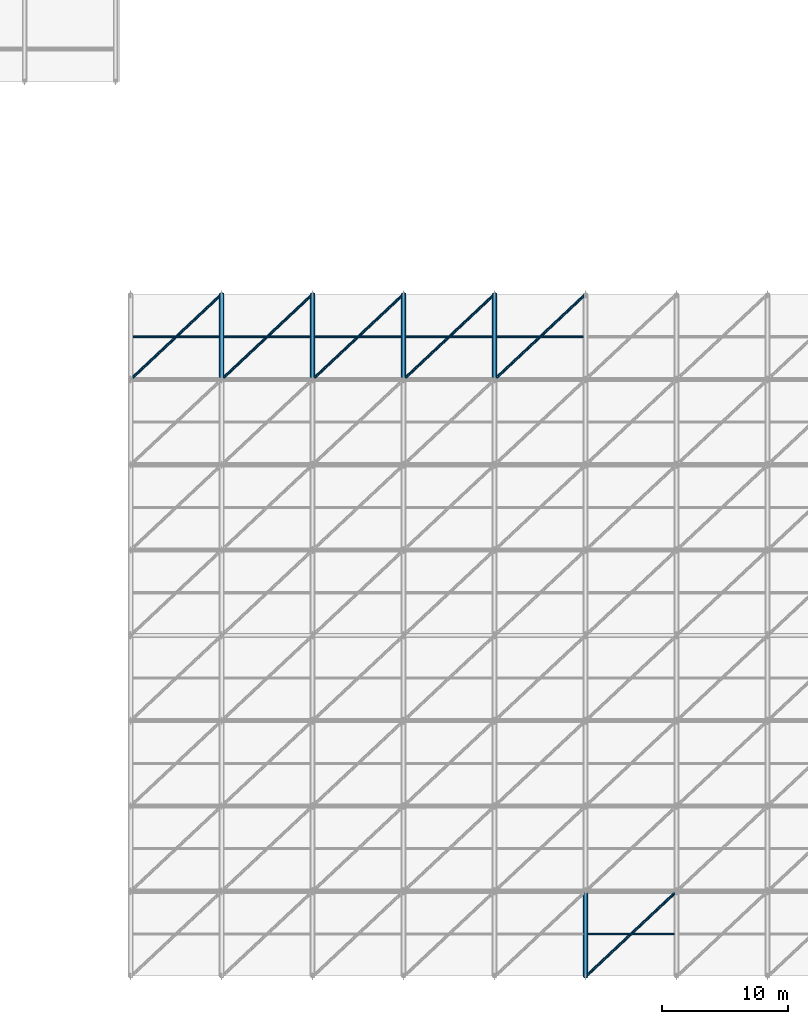
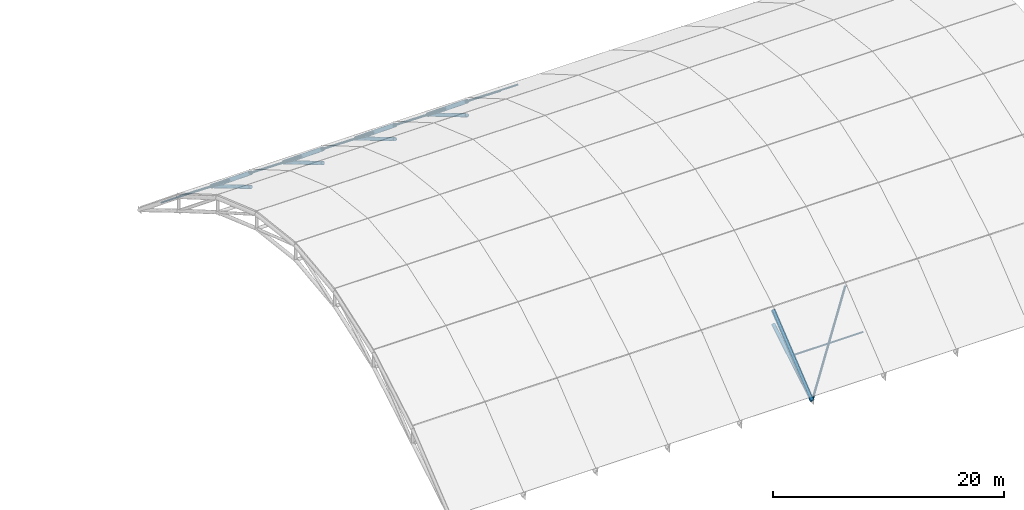
# One storey, part 7 of 72: 22 members, 5 beams.
"""IFC4 building model written with IfcOpenShell, lengths in metres."""

from ifc_helpers import new_model, si_unit, direction, frame, origin, origin_2d, place, context, subcontext, project, spatial, hollow_circle, extrude, material, material_profile, profile_set, type_object, element, save


model = new_model("IFC4")

# Units and contexts
model_context = context("Model", 3, precision=1e-05, world=origin(), true_north=direction((0.0, 1.0)))
body_context = subcontext(model_context, "Body", "Model", "MODEL_VIEW")
ifc_project = project(units=[si_unit("LENGTHUNIT", "METRE"), si_unit("AREAUNIT", "SQUARE_METRE"), si_unit("VOLUMEUNIT", "CUBIC_METRE"), si_unit("PLANEANGLEUNIT", "RADIAN"), si_unit("MASSUNIT", "GRAM", prefix="KILO")], contexts=[model_context])

# Site, building, storey
site_placement = place(None, origin())
site = spatial("IfcSite", under=ifc_project, at=site_placement, CompositionType="ELEMENT")
building_placement = place(site_placement, origin())
building = spatial("IfcBuilding", under=site, at=building_placement, Name="Vaelcorin Mobility Hub", CompositionType="ELEMENT")
storey_placement = place(building_placement, frame((0.0, 0.0, 25.800048828125)))
storey = spatial("IfcBuildingStorey", under=building, at=storey_placement, Name="RF", CompositionType="ELEMENT", Elevation=25.800048828125)

# Members
ifc_material = material(Name="Steel ASTM A500 Grade C", Category="steel")
ifc_material_profile_1 = material_profile(ifc_material, hollow_circle(Radius=0.177734375, WallThickness=0.0126953125, at=origin_2d()), Name="HSS14.000X0.500")
ifc_profile_set_1 = profile_set([ifc_material_profile_1], Name="Steel ASTM A500 Grade C")
member_type_1 = type_object("IfcMemberType", Name="SF-CHORD-14", PredefinedType="CHORD", material=ifc_profile_set_1)
for number, where, z_axis, x_axis, name in (
    (1, (43.199951171875, 53.25, -15.7880859375), (0.0, 0.859622623593, -0.510929491229), (-1.0, 0.0, 0.0), "Space Frame Roof Truss Lower Chord 2-8"),
    (2, (50.39990234375, 53.25, -15.7880859375), (0.0, 0.859622623593, -0.510929491229), (-1.0, 0.0, 0.0), "Space Frame Roof Truss Lower Chord 3-8"),
    (3, (57.60009765625, 53.25, -15.7880859375), (0.0, 0.859622623593, -0.510929491229), (-1.0, 0.0, 0.0), "Space Frame Roof Truss Lower Chord 4-8"),
    (4, (64.800048828125, 53.25, -15.7880859375), (0.0, 0.859622623593, -0.510929491229), (-1.0, 0.0, 0.0), "Space Frame Roof Truss Lower Chord 5-8"),
    (5, (72.0, 6.0, -19.800048828125), (0.0, 0.859622623593, 0.510929491229), (-1.0, 0.0, 0.0), "Space Frame Roof Truss Lower Chord 6-1"),
):
    element("IfcMember", number, at=place(storey_placement, frame(where, z_axis=z_axis, x_axis=x_axis)), inside=storey, type_object=member_type_1, Name=name, PredefinedType="CHORD", context=body_context, shape_type="SweptSolid", body=[
        extrude(hollow_circle(Radius=0.177734375, WallThickness=0.0126953125, at=origin_2d()), origin(), (0.0, 0.0, 1.0), 7.852294921875),
    ])
ifc_material_profile_2 = material_profile(ifc_material, hollow_circle(Radius=0.136474609375, WallThickness=0.0126953125, at=origin_2d()), Name="HSS10.750X0.500")
ifc_profile_set_2 = profile_set([ifc_material_profile_2], Name="Steel ASTM A500 Grade C")
member_type_2 = type_object("IfcMemberType", Name="SF-DIAG-10", PredefinedType="BRACE", material=ifc_profile_set_2)
for number, where, z_axis, x_axis, name in (
    (6, (43.199951171875, 53.25, -14.2880859375), (0.0, 0.774562321982, -0.632497596332), (-1.0, 0.0, 0.0), "Space Frame Roof Truss Web Diagonal 2-8"),
    (7, (50.39990234375, 53.25, -14.2880859375), (0.0, 0.774562321982, -0.632497596332), (-1.0, 0.0, 0.0), "Space Frame Roof Truss Web Diagonal 3-8"),
    (8, (57.60009765625, 53.25, -14.2880859375), (0.0, 0.774562321982, -0.632497596332), (-1.0, 0.0, 0.0), "Space Frame Roof Truss Web Diagonal 4-8"),
    (9, (64.800048828125, 53.25, -14.2880859375), (0.0, 0.774562321982, -0.632497596332), (-1.0, 0.0, 0.0), "Space Frame Roof Truss Web Diagonal 5-8"),
    (10, (72.0, 6.0, -19.800048828125), (0.0, 0.774562321982, 0.632497596332), (-1.0, 0.0, 0.0), "Space Frame Roof Truss Web Diagonal 6-1"),
):
    element("IfcMember", number, at=place(storey_placement, frame(where, z_axis=z_axis, x_axis=x_axis)), inside=storey, type_object=member_type_2, Name=name, PredefinedType="BRACE", context=body_context, shape_type="SweptSolid", body=[
        extrude(hollow_circle(Radius=0.136474609375, WallThickness=0.0126953125, at=origin_2d()), origin(), (0.0, 0.0, 1.0), 8.714599609375),
    ])
ifc_material_profile_3 = material_profile(ifc_material, hollow_circle(Radius=0.109619140625, WallThickness=0.009521484375, at=origin_2d()), Name="HSS8.625X0.375")
ifc_profile_set_3 = profile_set([ifc_material_profile_3], Name="Steel ASTM A500 Grade C")
member_type_3 = type_object("IfcMemberType", Name="SF-DIAG-8", PredefinedType="BRACE", material=ifc_profile_set_3)
for number, where, z_axis, x_axis, name in (
    (11, (36.0, 53.25, -14.2880859375), (0.636930590236, 0.59712647787, -0.487605775856), (-0.683943597489, 0.729534889813, 0.0), "Space Frame Bracing Diagonal 1-8"),
    (12, (43.199951171875, 53.25, -14.2880859375), (0.636930590236, 0.59712647787, -0.487605775856), (-0.683943597489, 0.729534889813, 0.0), "Space Frame Bracing Diagonal 2-8"),
    (13, (50.39990234375, 53.25, -14.2880859375), (0.636943425759, 0.59711826378, -0.487599068336), (-0.683931254551, 0.729546461199, 0.0), "Space Frame Bracing Diagonal 3-8"),
    (14, (57.60009765625, 53.25, -14.2880859375), (0.636930590236, 0.59712647787, -0.487605775856), (-0.683943597489, 0.729534889813, 0.0), "Space Frame Bracing Diagonal 4-8"),
    (15, (64.800048828125, 53.25, -14.2880859375), (0.636930590236, 0.59712647787, -0.487605775856), (-0.683943597489, 0.729534889813, 0.0), "Space Frame Bracing Diagonal 5-8"),
    (16, (72.0, 6.0, -19.800048828125), (0.636930590236, 0.59712647787, 0.487605775856), (-0.683943597489, 0.729534889813, 0.0), "Space Frame Bracing Diagonal 6-1"),
):
    element("IfcMember", number, at=place(storey_placement, frame(where, z_axis=z_axis, x_axis=x_axis)), inside=storey, type_object=member_type_3, Name=name, PredefinedType="BRACE", context=body_context, shape_type="SweptSolid", body=[
        extrude(hollow_circle(Radius=0.109619140625, WallThickness=0.009521484375, at=origin_2d()), origin(), (0.0, 0.0, 1.0), 11.30419921875),
    ])
ifc_material_profile_4 = material_profile(ifc_material, hollow_circle(Radius=0.084228515625, WallThickness=0.0078125, at=origin_2d()), Name="HSS6.625X0.312")
ifc_profile_set_4 = profile_set([ifc_material_profile_4], Name="Steel ASTM A500 Grade C")
member_type_4 = type_object("IfcMemberType", Name="SF-PURL-6", PredefinedType="PURLIN", material=ifc_profile_set_4)
for number, where, z_axis, x_axis, name in (
    (17, (36.179931640625, 56.625, -17.0439453125), (1.0, 0.0, 0.0), (0.0, 1.0, 0.0), "Space Frame Secondary Purlin 1-8"),
    (18, (43.3798828125, 56.625, -17.0439453125), (1.0, 0.0, 0.0), (0.0, 1.0, 0.0), "Space Frame Secondary Purlin 2-8"),
):
    element("IfcMember", number, at=place(storey_placement, frame(where, z_axis=z_axis, x_axis=x_axis)), inside=storey, type_object=member_type_4, Name=name, PredefinedType="PURLIN", context=body_context, shape_type="SweptSolid", body=[
        extrude(hollow_circle(Radius=0.084228515625, WallThickness=0.0078125, at=origin_2d()), origin(), (0.0, 0.0, 1.0), 6.840087890625),
    ])
member_placement = place(storey_placement, frame((50.580078125, 56.625, -17.0439453125), z_axis=(1.0, 0.0, 0.0), x_axis=(0.0, 1.0, 0.0)))
element("IfcMember", 19, at=member_placement, inside=storey, type_object=member_type_4, Name="Space Frame Secondary Purlin 3-8", PredefinedType="PURLIN", context=body_context, shape_type="SweptSolid", body=[
    extrude(hollow_circle(Radius=0.084228515625, WallThickness=0.0078125, at=origin_2d()), origin(), (0.0, 0.0, 1.0), 6.83984375),
])
for number, where, z_axis, x_axis, name in (
    (20, (57.780029296875, 56.625, -17.0439453125), (1.0, 0.0, 0.0), (0.0, 1.0, 0.0), "Space Frame Secondary Purlin 4-8"),
    (21, (64.97998046875, 56.625, -17.0439453125), (1.0, 0.0, 0.0), (0.0, 1.0, 0.0), "Space Frame Secondary Purlin 5-8"),
    (22, (72.179931640625, 9.375, -17.0439453125), (1.0, 0.0, 0.0), (0.0, 1.0, 0.0), "Space Frame Secondary Purlin 6-1"),
):
    element("IfcMember", number, at=place(storey_placement, frame(where, z_axis=z_axis, x_axis=x_axis)), inside=storey, type_object=member_type_4, Name=name, PredefinedType="PURLIN", context=body_context, shape_type="SweptSolid", body=[
        extrude(hollow_circle(Radius=0.084228515625, WallThickness=0.0078125, at=origin_2d()), origin(), (0.0, 0.0, 1.0), 6.840087890625),
    ])

# Beams
ifc_material_profile_5 = material_profile(ifc_material, hollow_circle(Radius=0.203125, WallThickness=0.015869140625, at=origin_2d()), Name="HSS16.000X0.625")
ifc_profile_set_5 = profile_set([ifc_material_profile_5], Name="Steel ASTM A500 Grade C")
beam_type = type_object("IfcBeamType", Name="TR-CHORD-16", PredefinedType="BEAM", material=ifc_profile_set_5)
for number, where, z_axis, x_axis, name in (
    (23, (43.199951171875, 53.25, -14.2880859375), (0.0, 0.774562321982, -0.632497596332), (-1.0, 0.0, 0.0), "Space Frame Roof Truss Upper Chord 2-8"),
    (24, (50.39990234375, 53.25, -14.2880859375), (0.0, 0.774562321982, -0.632497596332), (-1.0, 0.0, 0.0), "Space Frame Roof Truss Upper Chord 3-8"),
    (25, (57.60009765625, 53.25, -14.2880859375), (0.0, 0.774562321982, -0.632497596332), (-1.0, 0.0, 0.0), "Space Frame Roof Truss Upper Chord 4-8"),
    (26, (64.800048828125, 53.25, -14.2880859375), (0.0, 0.774562321982, -0.632497596332), (-1.0, 0.0, 0.0), "Space Frame Roof Truss Upper Chord 5-8"),
    (27, (72.0, 6.0, -19.800048828125), (0.0, 0.774562321982, 0.632497596332), (-1.0, 0.0, 0.0), "Space Frame Roof Truss Upper Chord 6-1"),
):
    element("IfcBeam", number, at=place(storey_placement, frame(where, z_axis=z_axis, x_axis=x_axis)), inside=storey, type_object=beam_type, Name=name, PredefinedType="BEAM", context=body_context, shape_type="SweptSolid", body=[
        extrude(hollow_circle(Radius=0.203125, WallThickness=0.015869140625, at=origin_2d()), origin(), (0.0, 0.0, 1.0), 8.714599609375),
    ])

save(model, "model.ifc")
